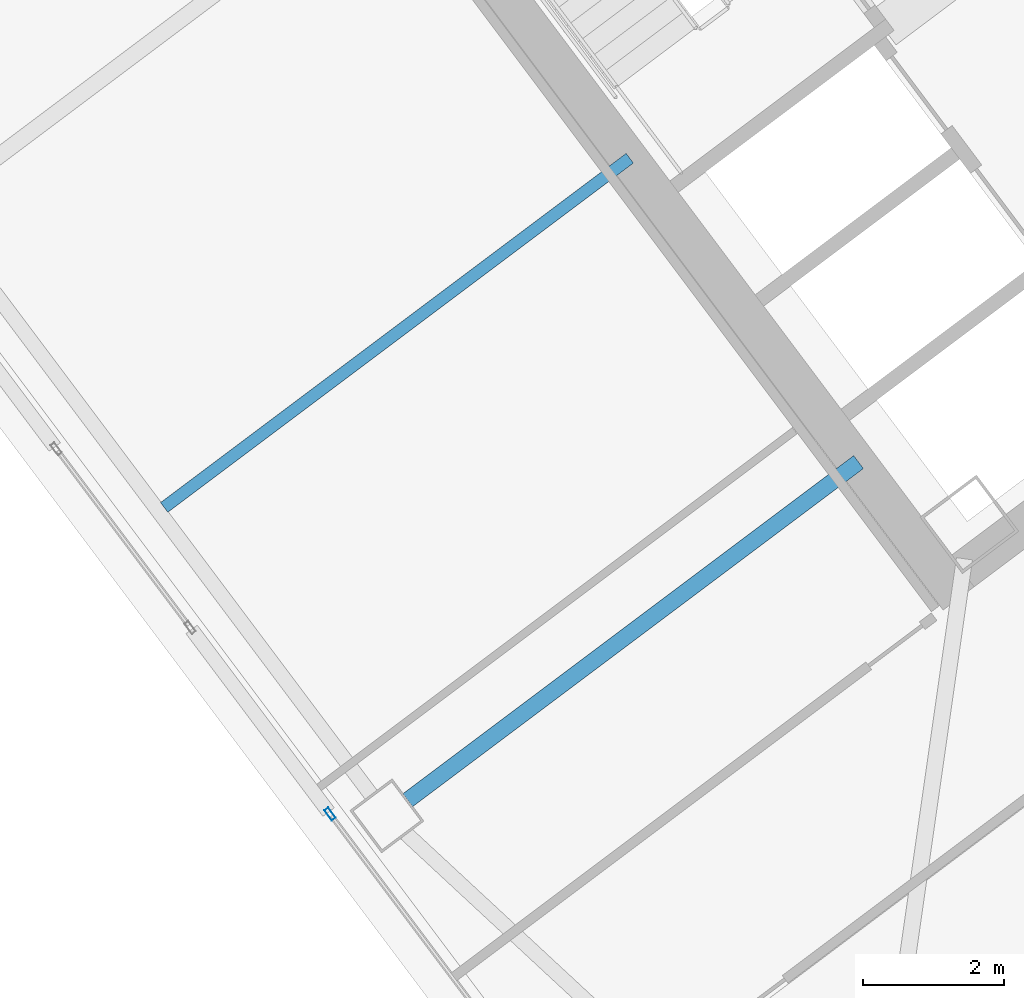
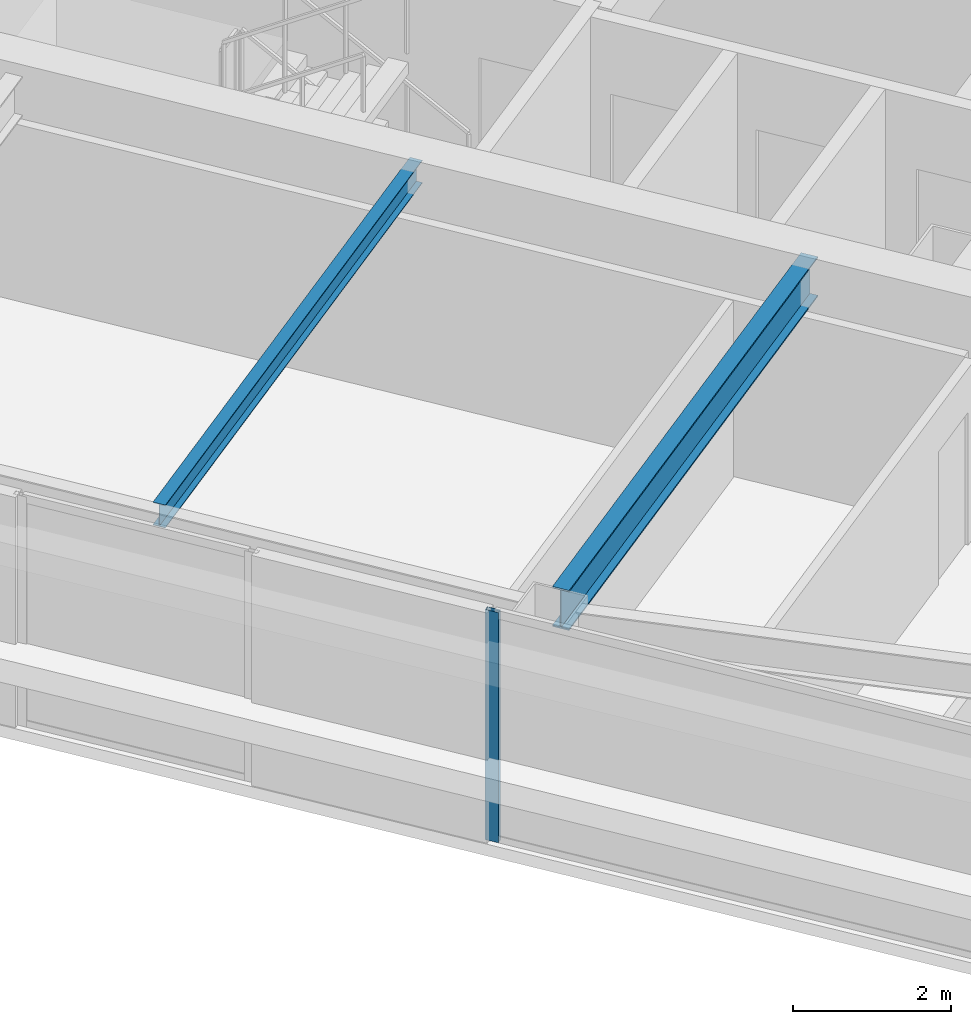
# One storey, part 19 of 43: 2 beams, 1 member, 1 element without a shape of its own.
"""IFC4 building model written with IfcOpenShell, lengths in metres."""

from ifc_helpers import new_model, si_unit, direction, frame, origin, origin_2d, place, context, subcontext, project, spatial, hollow_rectangle, i_section, extrude, material, material_profile, profile_set, type_object, element, aggregate, save


model = new_model("IFC4")

# Units and contexts
model_context = context("Model", 3, precision=1e-05, world=origin(), true_north=direction((0.0, 1.0)))
body_context = subcontext(model_context, "Body", "Model", "MODEL_VIEW")
ifc_project = project(units=[si_unit("LENGTHUNIT", "METRE"), si_unit("AREAUNIT", "SQUARE_METRE"), si_unit("VOLUMEUNIT", "CUBIC_METRE"), si_unit("PLANEANGLEUNIT", "RADIAN"), si_unit("MASSUNIT", "GRAM", prefix="KILO")], contexts=[model_context])

# Site, building, storey
site_placement = place(None, origin())
site = spatial("IfcSite", under=ifc_project, at=site_placement, CompositionType="ELEMENT")
building_placement = place(site_placement, origin())
building = spatial("IfcBuilding", under=site, at=building_placement, Name="Tashvorn Skyway Center", CompositionType="ELEMENT")
storey_placement = place(building_placement, frame((0.0, 0.0, 188.949951171875)))
storey = spatial("IfcBuildingStorey", under=building, at=storey_placement, Name="L51", CompositionType="ELEMENT", Elevation=188.949951171875)

# Beams
ifc_material_1 = material(Name="Steel ASTM A992 Grade 50", Category="steel")
ifc_material_profile_1 = material_profile(ifc_material_1, i_section(OverallWidth=0.22998046875, OverallDepth=0.616943359375, WebThickness=0.01318359375, FlangeThickness=0.022216796875, at=origin_2d()), Name="W24X94")
ifc_profile_set_1 = profile_set([ifc_material_profile_1], Name="Steel ASTM A992 Grade 50")
beam_type_1 = type_object("IfcBeamType", Name="BM-BEAM-W24X94", PredefinedType="BEAM", material=ifc_profile_set_1)
beam_1_placement = place(storey_placement, frame((104.615966796875, 18.2119140625, 3.0615234375), z_axis=(0.800003662027, 0.599995117266, 0.0), x_axis=(-0.599995117266, 0.800003662027, 0.0)))
element("IfcBeam", 1, at=beam_1_placement, inside=storey, type_object=beam_type_1, Name="Tower 2 L51 Primary Floor Girder FC-W2", PredefinedType="BEAM", context=body_context, shape_type="SweptSolid", body=[
    extrude(i_section(OverallWidth=0.22998046875, OverallDepth=0.616943359375, WebThickness=0.01318359375, FlangeThickness=0.022216796875, at=origin_2d()), origin(), (0.0, 0.0, 1.0), 8.000244140625),
])
ifc_material_profile_2 = material_profile(ifc_material_1, i_section(OverallWidth=0.1708984375, OverallDepth=0.35498046875, WebThickness=0.007080078125, FlangeThickness=0.01171875, at=origin_2d()), Name="W14X34")
ifc_profile_set_2 = profile_set([ifc_material_profile_2], Name="Steel ASTM A992 Grade 50")
beam_type_2 = type_object("IfcBeamType", Name="BM-JOIST-W14X34", PredefinedType="JOIST", material=ifc_profile_set_2)
beam_2_placement = place(storey_placement, frame((107.76806640625, 27.325927734375, 3.192626953125), z_axis=(-0.800003545708, -0.59999527236, 0.0), x_axis=(0.59999527236, -0.800003545708, 0.0)))
element("IfcBeam", 2, at=beam_2_placement, inside=storey, type_object=beam_type_2, Name="Tower 2 L51 Secondary Composite Joist JW", PredefinedType="JOIST", context=body_context, shape_type="SweptSolid", body=[
    extrude(i_section(OverallWidth=0.1708984375, OverallDepth=0.35498046875, WebThickness=0.007080078125, FlangeThickness=0.01171875, at=origin_2d()), origin(), (0.0, 0.0, 1.0), 8.2626953125),
])

# Curtain wall, member
ifc_material_2 = material(Name="Thermally broken bronze-anodized aluminium 6063-T6", Category="aluminium")
curtain_wall_type = type_object("IfcCurtainWallType", Name="CW-CW-Z4", PredefinedType="NOTDEFINED", material=ifc_material_2)
curtain_wall_placement = place(storey_placement, origin())
curtain_wall = element("IfcCurtainWall", 3, at=curtain_wall_placement, inside=storey, type_object=curtain_wall_type, Name="Tower 2 L51 West Unitised Curtain Wall Glazing Group 1", PredefinedType="NOTDEFINED")
ifc_material_profile_3 = material_profile(ifc_material_2, hollow_rectangle(XDim=0.070068359375, YDim=0.179931640625, WallThickness=0.00390625, at=origin_2d()), Name="ALU-MULL-70x180")
ifc_profile_set_3 = profile_set([ifc_material_profile_3], Name="Thermally broken bronze-anodized aluminium 6063-T6")
member_type = type_object("IfcMemberType", Name="CWM-CW-Z4", PredefinedType="MULLION", material=ifc_profile_set_3)
member_placement = place(storey_placement, frame((103.512939453125, 18.01611328125, 0.0), z_axis=(0.0, 0.0, 1.0), x_axis=(-0.799999999998, -0.600000000002, 0.0)))
member = element("IfcMember", 4, at=member_placement, type_object=member_type, Name="CW-Z4 mullion 2", PredefinedType="MULLION", context=body_context, shape_type="SweptSolid", body=[
    extrude(hollow_rectangle(XDim=0.070068359375, YDim=0.179931640625, WallThickness=0.00390625, at=origin_2d()), origin(), (0.0, 0.0, 1.0), 3.550048828125),
])
aggregate(curtain_wall, [member])

save(model, "model.ifc")
